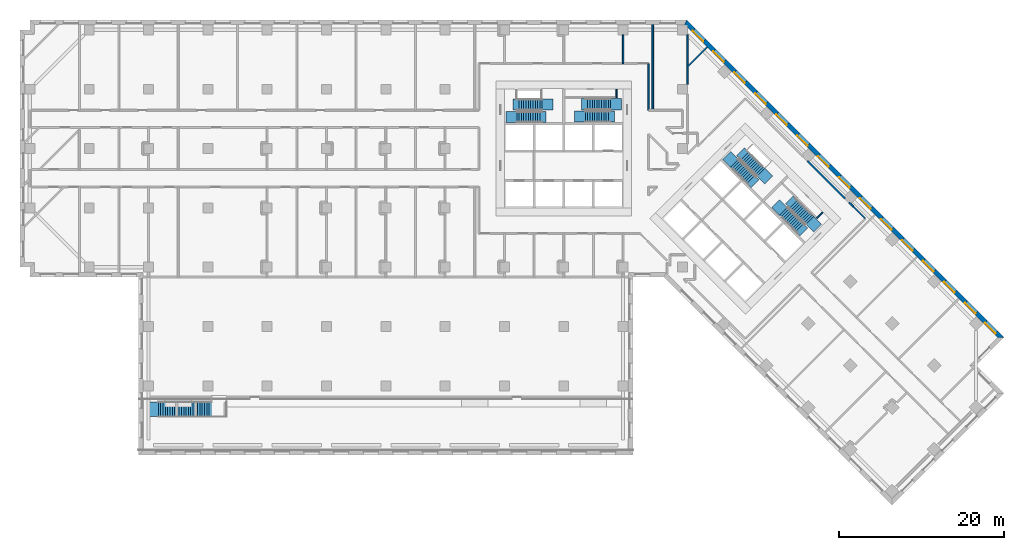
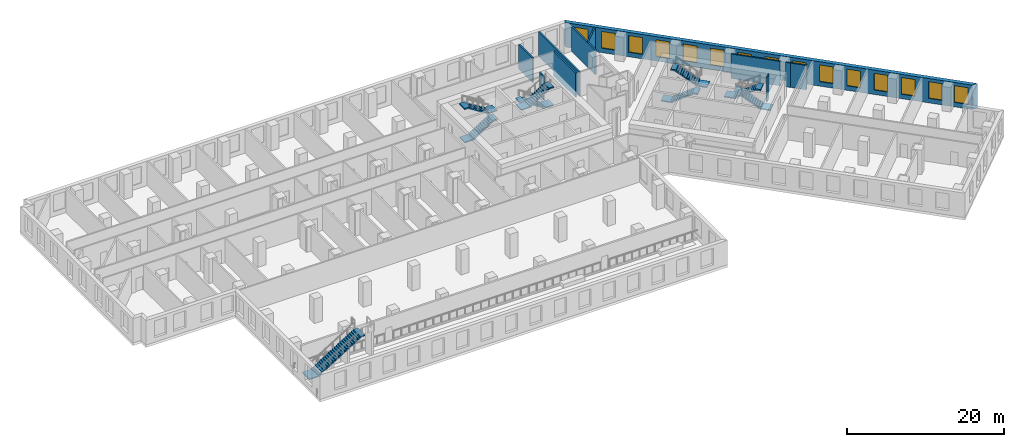
# One storey, part 10 of 14: 15 windows, 11 walls, 9 stair flights, 15 openings, 5 elements without a shape of their own.
"""IFC4 building model written with IfcOpenShell, lengths in metres."""

from ifc_helpers import new_model, si_unit, direction, frame, frame_2d, origin, place, context, subcontext, project, spatial, polyline, rectangle, outline, extrude, material, layer, layer_set, type_object, element, fill, aggregate, save


model = new_model("IFC4")

# Units and contexts
model_context = context("Model", 3, precision=1e-05, world=origin(), true_north=direction((0.0, 1.0)))
body_context = subcontext(model_context, "Body", "Model", "MODEL_VIEW")
ifc_project = project(units=[si_unit("LENGTHUNIT", "METRE"), si_unit("AREAUNIT", "SQUARE_METRE"), si_unit("VOLUMEUNIT", "CUBIC_METRE"), si_unit("PLANEANGLEUNIT", "RADIAN"), si_unit("MASSUNIT", "GRAM", prefix="KILO")], contexts=[model_context])

# Site, building, storey
site_placement = place(None, origin())
site = spatial("IfcSite", under=ifc_project, at=site_placement, CompositionType="ELEMENT")
building_placement = place(site_placement, origin())
building = spatial("IfcBuilding", under=site, at=building_placement, Name="Windrow Commons", CompositionType="ELEMENT")
storey_placement = place(building_placement, frame((0.0, 0.0, 10.2)))
storey = spatial("IfcBuildingStorey", under=building, at=storey_placement, Name="L02", CompositionType="ELEMENT", Elevation=10.2)

# Wall, openings, windows
ifc_material_1 = material(Name="Brick masonry, red clay brick", Category="masonry")
ifc_layer_1 = layer(ifc_material_1, 0.55)
ifc_layer_set_1 = layer_set([ifc_layer_1], Name="Brick facade wall 550")
wall_type_1 = type_object("IfcWallType", Name="Brick facade wall 550", PredefinedType="SOLIDWALL", material=ifc_layer_set_1)
wall_1_placement = place(storey_placement, frame((117.8434, 34.6648, 0.0), z_axis=(0.0, 0.0, 1.0), x_axis=(-0.7071067812, 0.7071067812, 0.0)))
wall_1 = element("IfcWall", 1, at=wall_1_placement, inside=storey, type_object=wall_type_1, Name="Brick facade wall L02 4", PredefinedType="SOLIDWALL", context=body_context, shape_type="SweptSolid", body=[
    extrude(outline(polyline([(-0.275, -0.275), (54.222, -0.275), (53.9942, 0.275), (0.275, 0.275), (-0.275, -0.275)])), origin(), (0.0, 0.0, 1.0), 3.8),
])
opening_1_placement = place(wall_1_placement, frame((0.8, 0.0, 0.7)))
opening_1 = element("IfcOpeningElement", 2, at=opening_1_placement, cuts=wall_1, Name="Opening W2", PredefinedType="OPENING", context=body_context, shape_type="SweptSolid", body=[
    extrude(rectangle(XDim=1.8, YDim=2.6, at=frame_2d((0.9, 1.3))), frame((0.0, 0.285, 0.0), z_axis=(0.0, -1.0, 0.0), x_axis=(1.0, 0.0, 0.0)), (0.0, 0.0, 1.0), 0.57),
])
opening_2_placement = place(wall_1_placement, frame((4.225, 0.0, 0.7)))
opening_2 = element("IfcOpeningElement", 3, at=opening_2_placement, cuts=wall_1, Name="Opening W2", PredefinedType="OPENING", context=body_context, shape_type="SweptSolid", body=[
    extrude(rectangle(XDim=1.8, YDim=2.6, at=frame_2d((0.9, 1.3))), frame((0.0, 0.285, 0.0), z_axis=(0.0, -1.0, 0.0), x_axis=(1.0, 0.0, 0.0)), (0.0, 0.0, 1.0), 0.57),
])
opening_3_placement = place(wall_1_placement, frame((7.825, 0.0, 0.7)))
opening_3 = element("IfcOpeningElement", 4, at=opening_3_placement, cuts=wall_1, Name="Opening W2", PredefinedType="OPENING", context=body_context, shape_type="SweptSolid", body=[
    extrude(rectangle(XDim=1.8, YDim=2.6, at=frame_2d((0.9, 1.3))), frame((0.0, 0.285, 0.0), z_axis=(0.0, -1.0, 0.0), x_axis=(1.0, 0.0, 0.0)), (0.0, 0.0, 1.0), 0.57),
])
opening_4_placement = place(wall_1_placement, frame((11.425, 0.0, 0.7)))
opening_4 = element("IfcOpeningElement", 5, at=opening_4_placement, cuts=wall_1, Name="Opening W2", PredefinedType="OPENING", context=body_context, shape_type="SweptSolid", body=[
    extrude(rectangle(XDim=1.8, YDim=2.6, at=frame_2d((0.9, 1.3))), frame((0.0, 0.285, 0.0), z_axis=(0.0, -1.0, 0.0), x_axis=(1.0, 0.0, 0.0)), (0.0, 0.0, 1.0), 0.57),
])
opening_5_placement = place(wall_1_placement, frame((15.025, 0.0, 0.7)))
opening_5 = element("IfcOpeningElement", 6, at=opening_5_placement, cuts=wall_1, Name="Opening W2", PredefinedType="OPENING", context=body_context, shape_type="SweptSolid", body=[
    extrude(rectangle(XDim=1.8, YDim=2.6, at=frame_2d((0.9, 1.3))), frame((0.0, 0.285, 0.0), z_axis=(0.0, -1.0, 0.0), x_axis=(1.0, 0.0, 0.0)), (0.0, 0.0, 1.0), 0.57),
])
opening_6_placement = place(wall_1_placement, frame((18.625, 0.0, 0.7)))
opening_6 = element("IfcOpeningElement", 7, at=opening_6_placement, cuts=wall_1, Name="Opening W2", PredefinedType="OPENING", context=body_context, shape_type="SweptSolid", body=[
    extrude(rectangle(XDim=1.8, YDim=2.6, at=frame_2d((0.9, 1.3))), frame((0.0, 0.285, 0.0), z_axis=(0.0, -1.0, 0.0), x_axis=(1.0, 0.0, 0.0)), (0.0, 0.0, 1.0), 0.57),
])
opening_7_placement = place(wall_1_placement, frame((22.225, 0.0, 0.7)))
opening_7 = element("IfcOpeningElement", 8, at=opening_7_placement, cuts=wall_1, Name="Opening W2", PredefinedType="OPENING", context=body_context, shape_type="SweptSolid", body=[
    extrude(rectangle(XDim=1.8, YDim=2.6, at=frame_2d((0.9, 1.3))), frame((0.0, 0.285, 0.0), z_axis=(0.0, -1.0, 0.0), x_axis=(1.0, 0.0, 0.0)), (0.0, 0.0, 1.0), 0.57),
])
opening_8_placement = place(wall_1_placement, frame((25.825, 0.0, 0.7)))
opening_8 = element("IfcOpeningElement", 9, at=opening_8_placement, cuts=wall_1, Name="Opening W2", PredefinedType="OPENING", context=body_context, shape_type="SweptSolid", body=[
    extrude(rectangle(XDim=1.8, YDim=2.6, at=frame_2d((0.9, 1.3))), frame((0.0, 0.285, 0.0), z_axis=(0.0, -1.0, 0.0), x_axis=(1.0, 0.0, 0.0)), (0.0, 0.0, 1.0), 0.57),
])
opening_9_placement = place(wall_1_placement, frame((29.425, 0.0, 0.7)))
opening_9 = element("IfcOpeningElement", 10, at=opening_9_placement, cuts=wall_1, Name="Opening W2", PredefinedType="OPENING", context=body_context, shape_type="SweptSolid", body=[
    extrude(rectangle(XDim=1.8, YDim=2.6, at=frame_2d((0.9, 1.3))), frame((0.0, 0.285, 0.0), z_axis=(0.0, -1.0, 0.0), x_axis=(1.0, 0.0, 0.0)), (0.0, 0.0, 1.0), 0.57),
])
opening_10_placement = place(wall_1_placement, frame((33.025, 0.0, 0.7)))
opening_10 = element("IfcOpeningElement", 11, at=opening_10_placement, cuts=wall_1, Name="Opening W2", PredefinedType="OPENING", context=body_context, shape_type="SweptSolid", body=[
    extrude(rectangle(XDim=1.8, YDim=2.6, at=frame_2d((0.9, 1.3))), frame((0.0, 0.285, 0.0), z_axis=(0.0, -1.0, 0.0), x_axis=(1.0, 0.0, 0.0)), (0.0, 0.0, 1.0), 0.57),
])
opening_11_placement = place(wall_1_placement, frame((36.625, 0.0, 0.7)))
opening_11 = element("IfcOpeningElement", 12, at=opening_11_placement, cuts=wall_1, Name="Opening W2", PredefinedType="OPENING", context=body_context, shape_type="SweptSolid", body=[
    extrude(rectangle(XDim=1.8, YDim=2.6, at=frame_2d((0.9, 1.3))), frame((0.0, 0.285, 0.0), z_axis=(0.0, -1.0, 0.0), x_axis=(1.0, 0.0, 0.0)), (0.0, 0.0, 1.0), 0.57),
])
opening_12_placement = place(wall_1_placement, frame((40.225, 0.0, 0.7)))
opening_12 = element("IfcOpeningElement", 13, at=opening_12_placement, cuts=wall_1, Name="Opening W2", PredefinedType="OPENING", context=body_context, shape_type="SweptSolid", body=[
    extrude(rectangle(XDim=1.8, YDim=2.6, at=frame_2d((0.9, 1.3))), frame((0.0, 0.285, 0.0), z_axis=(0.0, -1.0, 0.0), x_axis=(1.0, 0.0, 0.0)), (0.0, 0.0, 1.0), 0.57),
])
opening_13_placement = place(wall_1_placement, frame((43.825, 0.0, 0.7)))
opening_13 = element("IfcOpeningElement", 14, at=opening_13_placement, cuts=wall_1, Name="Opening W2", PredefinedType="OPENING", context=body_context, shape_type="SweptSolid", body=[
    extrude(rectangle(XDim=1.8, YDim=2.6, at=frame_2d((0.9, 1.3))), frame((0.0, 0.285, 0.0), z_axis=(0.0, -1.0, 0.0), x_axis=(1.0, 0.0, 0.0)), (0.0, 0.0, 1.0), 0.57),
])
opening_14_placement = place(wall_1_placement, frame((47.425, 0.0, 0.7)))
opening_14 = element("IfcOpeningElement", 15, at=opening_14_placement, cuts=wall_1, Name="Opening W2", PredefinedType="OPENING", context=body_context, shape_type="SweptSolid", body=[
    extrude(rectangle(XDim=1.8, YDim=2.6, at=frame_2d((0.9, 1.3))), frame((0.0, 0.285, 0.0), z_axis=(0.0, -1.0, 0.0), x_axis=(1.0, 0.0, 0.0)), (0.0, 0.0, 1.0), 0.57),
])
opening_15_placement = place(wall_1_placement, frame((50.9596, 0.0, 0.7)))
opening_15 = element("IfcOpeningElement", 16, at=opening_15_placement, cuts=wall_1, Name="Opening W2", PredefinedType="OPENING", context=body_context, shape_type="SweptSolid", body=[
    extrude(rectangle(XDim=1.8, YDim=2.6, at=frame_2d((0.9, 1.3))), frame((0.0, 0.285, 0.0), z_axis=(0.0, -1.0, 0.0), x_axis=(1.0, 0.0, 0.0)), (0.0, 0.0, 1.0), 0.57),
])
ifc_material_2 = material(Name="Clear float glass in anodised aluminium frame", Category="aluminium")
window_type = type_object("IfcWindowType", Name="Window W2 podium 1800x2600", PartitioningType="SINGLE_PANEL", PredefinedType="WINDOW", material=ifc_material_2)
window_1_placement = place(opening_1_placement, origin())
window_1 = element("IfcWindow", 17, at=window_1_placement, inside=storey, type_object=window_type, Name="Window L02 4.1", OverallHeight=2.6, OverallWidth=1.8, PartitioningType="SINGLE_PANEL", PredefinedType="WINDOW", context=body_context, shape_type="SweptSolid", body=[
    extrude(rectangle(XDim=1.8, YDim=2.6, at=frame_2d((0.9, 1.3))), frame((0.0, 0.155, 0.0), z_axis=(0.0, -1.0, 0.0), x_axis=(1.0, 0.0, 0.0)), (0.0, 0.0, 1.0), 0.06),
])
fill(opening_1, window_1)
window_2_placement = place(opening_2_placement, origin())
window_2 = element("IfcWindow", 18, at=window_2_placement, inside=storey, type_object=window_type, Name="Window L02 4.2", OverallHeight=2.6, OverallWidth=1.8, PartitioningType="SINGLE_PANEL", PredefinedType="WINDOW", context=body_context, shape_type="SweptSolid", body=[
    extrude(rectangle(XDim=1.8, YDim=2.6, at=frame_2d((0.9, 1.3))), frame((0.0, 0.155, 0.0), z_axis=(0.0, -1.0, 0.0), x_axis=(1.0, 0.0, 0.0)), (0.0, 0.0, 1.0), 0.06),
])
fill(opening_2, window_2)
window_3_placement = place(opening_3_placement, origin())
window_3 = element("IfcWindow", 19, at=window_3_placement, inside=storey, type_object=window_type, Name="Window L02 4.3", OverallHeight=2.6, OverallWidth=1.8, PartitioningType="SINGLE_PANEL", PredefinedType="WINDOW", context=body_context, shape_type="SweptSolid", body=[
    extrude(rectangle(XDim=1.8, YDim=2.6, at=frame_2d((0.9, 1.3))), frame((0.0, 0.155, 0.0), z_axis=(0.0, -1.0, 0.0), x_axis=(1.0, 0.0, 0.0)), (0.0, 0.0, 1.0), 0.06),
])
fill(opening_3, window_3)
window_4_placement = place(opening_4_placement, origin())
window_4 = element("IfcWindow", 20, at=window_4_placement, inside=storey, type_object=window_type, Name="Window L02 4.4", OverallHeight=2.6, OverallWidth=1.8, PartitioningType="SINGLE_PANEL", PredefinedType="WINDOW", context=body_context, shape_type="SweptSolid", body=[
    extrude(rectangle(XDim=1.8, YDim=2.6, at=frame_2d((0.9, 1.3))), frame((0.0, 0.155, 0.0), z_axis=(0.0, -1.0, 0.0), x_axis=(1.0, 0.0, 0.0)), (0.0, 0.0, 1.0), 0.06),
])
fill(opening_4, window_4)
window_5_placement = place(opening_5_placement, origin())
window_5 = element("IfcWindow", 21, at=window_5_placement, inside=storey, type_object=window_type, Name="Window L02 4.5", OverallHeight=2.6, OverallWidth=1.8, PartitioningType="SINGLE_PANEL", PredefinedType="WINDOW", context=body_context, shape_type="SweptSolid", body=[
    extrude(rectangle(XDim=1.8, YDim=2.6, at=frame_2d((0.9, 1.3))), frame((0.0, 0.155, 0.0), z_axis=(0.0, -1.0, 0.0), x_axis=(1.0, 0.0, 0.0)), (0.0, 0.0, 1.0), 0.06),
])
fill(opening_5, window_5)
window_6_placement = place(opening_6_placement, origin())
window_6 = element("IfcWindow", 22, at=window_6_placement, inside=storey, type_object=window_type, Name="Window L02 4.6", OverallHeight=2.6, OverallWidth=1.8, PartitioningType="SINGLE_PANEL", PredefinedType="WINDOW", context=body_context, shape_type="SweptSolid", body=[
    extrude(rectangle(XDim=1.8, YDim=2.6, at=frame_2d((0.9, 1.3))), frame((0.0, 0.155, 0.0), z_axis=(0.0, -1.0, 0.0), x_axis=(1.0, 0.0, 0.0)), (0.0, 0.0, 1.0), 0.06),
])
fill(opening_6, window_6)
window_7_placement = place(opening_7_placement, origin())
window_7 = element("IfcWindow", 23, at=window_7_placement, inside=storey, type_object=window_type, Name="Window L02 4.7", OverallHeight=2.6, OverallWidth=1.8, PartitioningType="SINGLE_PANEL", PredefinedType="WINDOW", context=body_context, shape_type="SweptSolid", body=[
    extrude(rectangle(XDim=1.8, YDim=2.6, at=frame_2d((0.9, 1.3))), frame((0.0, 0.155, 0.0), z_axis=(0.0, -1.0, 0.0), x_axis=(1.0, 0.0, 0.0)), (0.0, 0.0, 1.0), 0.06),
])
fill(opening_7, window_7)
window_8_placement = place(opening_8_placement, origin())
window_8 = element("IfcWindow", 24, at=window_8_placement, inside=storey, type_object=window_type, Name="Window L02 4.8", OverallHeight=2.6, OverallWidth=1.8, PartitioningType="SINGLE_PANEL", PredefinedType="WINDOW", context=body_context, shape_type="SweptSolid", body=[
    extrude(rectangle(XDim=1.8, YDim=2.6, at=frame_2d((0.9, 1.3))), frame((0.0, 0.155, 0.0), z_axis=(0.0, -1.0, 0.0), x_axis=(1.0, 0.0, 0.0)), (0.0, 0.0, 1.0), 0.06),
])
fill(opening_8, window_8)
window_9_placement = place(opening_9_placement, origin())
window_9 = element("IfcWindow", 25, at=window_9_placement, inside=storey, type_object=window_type, Name="Window L02 4.9", OverallHeight=2.6, OverallWidth=1.8, PartitioningType="SINGLE_PANEL", PredefinedType="WINDOW", context=body_context, shape_type="SweptSolid", body=[
    extrude(rectangle(XDim=1.8, YDim=2.6, at=frame_2d((0.9, 1.3))), frame((0.0, 0.155, 0.0), z_axis=(0.0, -1.0, 0.0), x_axis=(1.0, 0.0, 0.0)), (0.0, 0.0, 1.0), 0.06),
])
fill(opening_9, window_9)
window_10_placement = place(opening_10_placement, origin())
window_10 = element("IfcWindow", 26, at=window_10_placement, inside=storey, type_object=window_type, Name="Window L02 4.10", OverallHeight=2.6, OverallWidth=1.8, PartitioningType="SINGLE_PANEL", PredefinedType="WINDOW", context=body_context, shape_type="SweptSolid", body=[
    extrude(rectangle(XDim=1.8, YDim=2.6, at=frame_2d((0.9, 1.3))), frame((0.0, 0.155, 0.0), z_axis=(0.0, -1.0, 0.0), x_axis=(1.0, 0.0, 0.0)), (0.0, 0.0, 1.0), 0.06),
])
fill(opening_10, window_10)
window_11_placement = place(opening_11_placement, origin())
window_11 = element("IfcWindow", 27, at=window_11_placement, inside=storey, type_object=window_type, Name="Window L02 4.11", OverallHeight=2.6, OverallWidth=1.8, PartitioningType="SINGLE_PANEL", PredefinedType="WINDOW", context=body_context, shape_type="SweptSolid", body=[
    extrude(rectangle(XDim=1.8, YDim=2.6, at=frame_2d((0.9, 1.3))), frame((0.0, 0.155, 0.0), z_axis=(0.0, -1.0, 0.0), x_axis=(1.0, 0.0, 0.0)), (0.0, 0.0, 1.0), 0.06),
])
fill(opening_11, window_11)
window_12_placement = place(opening_12_placement, origin())
window_12 = element("IfcWindow", 28, at=window_12_placement, inside=storey, type_object=window_type, Name="Window L02 4.12", OverallHeight=2.6, OverallWidth=1.8, PartitioningType="SINGLE_PANEL", PredefinedType="WINDOW", context=body_context, shape_type="SweptSolid", body=[
    extrude(rectangle(XDim=1.8, YDim=2.6, at=frame_2d((0.9, 1.3))), frame((0.0, 0.155, 0.0), z_axis=(0.0, -1.0, 0.0), x_axis=(1.0, 0.0, 0.0)), (0.0, 0.0, 1.0), 0.06),
])
fill(opening_12, window_12)
window_13_placement = place(opening_13_placement, origin())
window_13 = element("IfcWindow", 29, at=window_13_placement, inside=storey, type_object=window_type, Name="Window L02 4.13", OverallHeight=2.6, OverallWidth=1.8, PartitioningType="SINGLE_PANEL", PredefinedType="WINDOW", context=body_context, shape_type="SweptSolid", body=[
    extrude(rectangle(XDim=1.8, YDim=2.6, at=frame_2d((0.9, 1.3))), frame((0.0, 0.155, 0.0), z_axis=(0.0, -1.0, 0.0), x_axis=(1.0, 0.0, 0.0)), (0.0, 0.0, 1.0), 0.06),
])
fill(opening_13, window_13)
window_14_placement = place(opening_14_placement, origin())
window_14 = element("IfcWindow", 30, at=window_14_placement, inside=storey, type_object=window_type, Name="Window L02 4.14", OverallHeight=2.6, OverallWidth=1.8, PartitioningType="SINGLE_PANEL", PredefinedType="WINDOW", context=body_context, shape_type="SweptSolid", body=[
    extrude(rectangle(XDim=1.8, YDim=2.6, at=frame_2d((0.9, 1.3))), frame((0.0, 0.155, 0.0), z_axis=(0.0, -1.0, 0.0), x_axis=(1.0, 0.0, 0.0)), (0.0, 0.0, 1.0), 0.06),
])
fill(opening_14, window_14)
window_15_placement = place(opening_15_placement, origin())
window_15 = element("IfcWindow", 31, at=window_15_placement, inside=storey, type_object=window_type, Name="Window L02 4.15", OverallHeight=2.6, OverallWidth=1.8, PartitioningType="SINGLE_PANEL", PredefinedType="WINDOW", context=body_context, shape_type="SweptSolid", body=[
    extrude(rectangle(XDim=1.8, YDim=2.6, at=frame_2d((0.9, 1.3))), frame((0.0, 0.155, 0.0), z_axis=(0.0, -1.0, 0.0), x_axis=(1.0, 0.0, 0.0)), (0.0, 0.0, 1.0), 0.06),
])
fill(opening_15, window_15)

# Walls
ifc_material_3 = material(Name="Blockwork partition", Category="masonry")
ifc_layer_2 = layer(ifc_material_3, 0.2)
ifc_layer_set_2 = layer_set([ifc_layer_2], Name="IW-CORRIDOR-200")
wall_type_2 = type_object("IfcWallType", Name="IW-CORRIDOR-200", PredefinedType="PARTITIONING", material=ifc_layer_set_2)
wall_2_placement = place(storey_placement, frame((94.3632, 56.1232, 0.0), z_axis=(0.0, 0.0, 1.0), x_axis=(0.7071067812, -0.7071067812, 0.0)))
element("IfcWall", 32, at=wall_2_placement, inside=storey, type_object=wall_type_2, Name="W-L02-W037", PredefinedType="PARTITIONING", context=body_context, shape_type="SweptSolid", body=[
    extrude(rectangle(XDim=6.5026, YDim=0.2, at=frame_2d((3.2513, 0.0))), origin(), (0.0, 0.0, 1.0), 3.8),
])
wall_3_placement = place(storey_placement, frame((75.1, 62.252, 0.0), z_axis=(0.0, 0.0, 1.0), x_axis=(0.0, 1.0, 0.0)))
element("IfcWall", 33, at=wall_3_placement, inside=storey, type_object=wall_type_2, Name="W-L02-W048", PredefinedType="PARTITIONING", context=body_context, shape_type="SweptSolid", body=[
    extrude(rectangle(XDim=5.648, YDim=0.2, at=frame_2d((2.824, 0.0))), origin(), (0.0, 0.0, 1.0), 3.8),
])
wall_4_placement = place(storey_placement, frame((99.9177, 50.5737, 0.0), z_axis=(0.0, 0.0, 1.0), x_axis=(0.7075827869, -0.7066304548, 0.0)))
element("IfcWall", 34, at=wall_4_placement, inside=storey, type_object=wall_type_2, Name="W-L02-W079", PredefinedType="PARTITIONING", context=body_context, shape_type="SweptSolid", body=[
    extrude(rectangle(XDim=2.1001, YDim=0.2, at=frame_2d((1.05, 0.0))), origin(), (0.0, 0.0, 1.0), 3.8),
])
wall_5_placement = place(storey_placement, frame((99.4532, 51.0332, 0.0), z_axis=(0.0, 0.0, 1.0), x_axis=(0.7071067812, -0.7071067812, 0.0)))
element("IfcWall", 35, at=wall_5_placement, inside=storey, type_object=wall_type_2, Name="W-L02-W172", PredefinedType="PARTITIONING", context=body_context, shape_type="SweptSolid", body=[
    extrude(rectangle(XDim=0.6534, YDim=0.2, at=frame_2d((0.3267, 0.0))), origin(), (0.0, 0.0, 1.0), 3.8),
])
ifc_material_4 = material(Name="Blockwork partition", Category="masonry")
ifc_layer_3 = layer(ifc_material_4, 0.2)
ifc_layer_set_3 = layer_set([ifc_layer_3], Name="IW-PARTY-200")
wall_type_3 = type_object("IfcWallType", Name="IW-PARTY-200", PredefinedType="PARTITIONING", material=ifc_layer_set_3)
wall_6_placement = place(storey_placement, frame((75.6, 62.25, 0.0), z_axis=(0.0, 0.0, 1.0), x_axis=(0.0, 1.0, 0.0)))
element("IfcWall", 36, at=wall_6_placement, inside=storey, type_object=wall_type_3, Name="W-L02-W027", PredefinedType="PARTITIONING", context=body_context, shape_type="SweptSolid", body=[
    extrude(rectangle(XDim=10.4, YDim=0.2, at=frame_2d((5.2, 0.0))), origin(), (0.0, 0.0, 1.0), 3.8),
])
wall_7_placement = place(storey_placement, frame((79.8, 65.4, 0.0), z_axis=(0.0, 0.0, 1.0), x_axis=(0.0, 1.0, 0.0)))
element("IfcWall", 37, at=wall_7_placement, inside=storey, type_object=wall_type_3, Name="W-L02-W040", PredefinedType="PARTITIONING", context=body_context, shape_type="SweptSolid", body=[
    extrude(rectangle(XDim=6.0, YDim=0.2, at=frame_2d((3.0, 0.0))), origin(), (0.0, 0.0, 1.0), 3.8),
])
wall_8_placement = place(storey_placement, frame((72.0, 67.9, 0.0), z_axis=(0.0, 0.0, 1.0), x_axis=(0.0, 1.0, 0.0)))
element("IfcWall", 38, at=wall_8_placement, inside=storey, type_object=wall_type_3, Name="W-L02-W065", PredefinedType="PARTITIONING", context=body_context, shape_type="SweptSolid", body=[
    extrude(rectangle(XDim=3.5, YDim=0.2, at=frame_2d((1.75, 0.0))), origin(), (0.0, 0.0, 1.0), 3.8),
])
wall_9_placement = place(storey_placement, frame((79.7988, 67.5092, 0.0), z_axis=(0.0, 0.0, 1.0), x_axis=(0.7070920842, 0.7071214778, 0.0)))
element("IfcWall", 39, at=wall_9_placement, inside=storey, type_object=wall_type_3, Name="W-L02-W071", PredefinedType="PARTITIONING", context=body_context, shape_type="SweptSolid", body=[
    extrude(rectangle(XDim=3.4021, YDim=0.2, at=frame_2d((1.701, 0.0))), origin(), (0.0, 0.0, 1.0), 3.8),
])
ifc_material_5 = material(Name="Blockwork partition", Category="masonry")
ifc_layer_4 = layer(ifc_material_5, 0.15)
ifc_layer_set_4 = layer_set([ifc_layer_4], Name="Riser partition 150")
wall_type_4 = type_object("IfcWallType", Name="Riser partition 150", PredefinedType="PARTITIONING", material=ifc_layer_set_4)
wall_10_placement = place(storey_placement, frame((71.2, 63.78, 0.0), z_axis=(0.0, 0.0, 1.0), x_axis=(0.0, 1.0, 0.0)))
element("IfcWall", 40, at=wall_10_placement, inside=storey, type_object=wall_type_4, Name="W-core-stripx-A-L02-1", PredefinedType="PARTITIONING", context=body_context, shape_type="SweptSolid", body=[
    extrude(rectangle(XDim=1.02, YDim=0.15, at=frame_2d((0.51, 0.0))), origin(), (0.0, 0.0, 1.0), 3.8),
])
wall_11_placement = place(storey_placement, frame((95.52, 49.1463, 0.0), z_axis=(0.0, 0.0, 1.0), x_axis=(0.7071067812, 0.7071067812, 0.0)))
element("IfcWall", 41, at=wall_11_placement, inside=storey, type_object=wall_type_4, Name="W-core-stripx-B-L02-1", PredefinedType="PARTITIONING", context=body_context, shape_type="SweptSolid", body=[
    extrude(rectangle(XDim=1.0201, YDim=0.15, at=frame_2d((0.5101, 0.0))), origin(), (0.0, 0.0, 1.0), 3.8),
])

# Stair, stair flights
ifc_material_6 = material(Name="Concrete C40/50", Category="concrete")
stair_type_1 = type_object("IfcStairType", Name="Core stair", PredefinedType="HALF_TURN_STAIR", material=ifc_material_6)
placement = place(storey_placement, origin())
stair_1 = element("IfcStair", 42, at=placement, inside=storey, type_object=stair_type_1, Name="L02 Exit stair A1 core A", PredefinedType="HALF_TURN_STAIR")
ifc_material_7 = material(Name="Concrete C40/50", Category="concrete")
stair_flight_type_1 = type_object("IfcStairFlightType", Name="Core stair flight", PredefinedType="STRAIGHT", material=ifc_material_7)
stair_flight_1_placement = place(storey_placement, frame((59.1, 61.425, 0.0), z_axis=(0.0, 0.0, 1.0), x_axis=(1.0, 0.0, 0.0)))
stair_flight_1 = element("IfcStairFlight", 43, at=stair_flight_1_placement, type_object=stair_flight_type_1, Name="ST-A1 flight 1", NumberOfRisers=12, NumberOfTreads=11, PredefinedType="STRAIGHT", RiserHeight=0.175, TreadLength=0.28, context=body_context, shape_type="SweptSolid", body=[
    extrude(outline(polyline([(-1.3, -0.15), (-1.3, 0.0), (0.0, 0.0), (0.0, 0.175), (0.28, 0.175), (0.28, 0.35), (0.56, 0.35), (0.56, 0.525), (0.84, 0.525), (0.84, 0.7), (1.12, 0.7), (1.12, 0.875), (1.4, 0.875), (1.4, 1.05), (1.68, 1.05), (1.68, 1.225), (1.96, 1.225), (1.96, 1.4), (2.24, 1.4), (2.24, 1.575), (2.52, 1.575), (2.52, 1.75), (2.8, 1.75), (2.8, 1.925), (3.08, 1.925), (3.53, 1.925), (3.53, 1.725), (3.08, 1.725), (3.08, 1.7481), (0.283, 0.0), (0.283, -0.15), (-1.3, -0.15)])), frame((0.0, 0.675, 0.0), z_axis=(0.0, -1.0, 0.0), x_axis=(1.0, 0.0, 0.0)), (0.0, 0.0, 1.0), 1.35),
])
stair_flight_2_placement = place(storey_placement, frame((62.18, 62.925, 2.1), z_axis=(0.0, 0.0, 1.0), x_axis=(-1.0, 0.0, 0.0)))
stair_flight_2 = element("IfcStairFlight", 44, at=stair_flight_2_placement, type_object=stair_flight_type_1, Name="ST-A1 flight 2", NumberOfRisers=12, NumberOfTreads=11, PredefinedType="STRAIGHT", RiserHeight=0.175, TreadLength=0.28, context=body_context, shape_type="SweptSolid", body=[
    extrude(outline(polyline([(-1.3, -0.15), (-1.3, 0.0), (0.0, 0.0), (0.0, 0.175), (0.28, 0.175), (0.28, 0.35), (0.56, 0.35), (0.56, 0.525), (0.84, 0.525), (0.84, 0.7), (1.12, 0.7), (1.12, 0.875), (1.4, 0.875), (1.4, 1.05), (1.68, 1.05), (1.68, 1.225), (1.96, 1.225), (1.96, 1.4), (2.24, 1.4), (2.24, 1.575), (2.52, 1.575), (2.52, 1.75), (2.8, 1.75), (2.8, 1.925), (3.08, 1.925), (3.53, 1.925), (3.53, 1.725), (3.08, 1.725), (3.08, 1.7481), (0.283, 0.0), (0.283, -0.15), (-1.3, -0.15)])), frame((0.0, 0.675, 0.0), z_axis=(0.0, -1.0, 0.0), x_axis=(1.0, 0.0, 0.0)), (0.0, 0.0, 1.0), 1.35),
])
aggregate(stair_1, [stair_flight_1, stair_flight_2])

stair_2 = element("IfcStair", 45, at=placement, inside=storey, type_object=stair_type_1, Name="L02 Exit stair A2 core A", PredefinedType="HALF_TURN_STAIR")
stair_flight_3_placement = place(storey_placement, frame((70.5, 62.98, 0.0), z_axis=(0.0, 0.0, 1.0), x_axis=(-1.0, 0.0, 0.0)))
stair_flight_3 = element("IfcStairFlight", 46, at=stair_flight_3_placement, type_object=stair_flight_type_1, Name="ST-A2 flight 1", NumberOfRisers=12, NumberOfTreads=11, PredefinedType="STRAIGHT", RiserHeight=0.175, TreadLength=0.28, context=body_context, shape_type="SweptSolid", body=[
    extrude(outline(polyline([(-1.3, -0.15), (-1.3, 0.0), (0.0, 0.0), (0.0, 0.175), (0.28, 0.175), (0.28, 0.35), (0.56, 0.35), (0.56, 0.525), (0.84, 0.525), (0.84, 0.7), (1.12, 0.7), (1.12, 0.875), (1.4, 0.875), (1.4, 1.05), (1.68, 1.05), (1.68, 1.225), (1.96, 1.225), (1.96, 1.4), (2.24, 1.4), (2.24, 1.575), (2.52, 1.575), (2.52, 1.75), (2.8, 1.75), (2.8, 1.925), (3.08, 1.925), (3.53, 1.925), (3.53, 1.725), (3.08, 1.725), (3.08, 1.7481), (0.283, 0.0), (0.283, -0.15), (-1.3, -0.15)])), frame((0.0, 0.675, 0.0), z_axis=(0.0, -1.0, 0.0), x_axis=(1.0, 0.0, 0.0)), (0.0, 0.0, 1.0), 1.35),
])
stair_flight_4_placement = place(storey_placement, frame((67.42, 61.48, 2.1), z_axis=(0.0, 0.0, 1.0), x_axis=(1.0, 0.0, 0.0)))
stair_flight_4 = element("IfcStairFlight", 47, at=stair_flight_4_placement, type_object=stair_flight_type_1, Name="ST-A2 flight 2", NumberOfRisers=12, NumberOfTreads=11, PredefinedType="STRAIGHT", RiserHeight=0.175, TreadLength=0.28, context=body_context, shape_type="SweptSolid", body=[
    extrude(outline(polyline([(-1.3, -0.15), (-1.3, 0.0), (0.0, 0.0), (0.0, 0.175), (0.28, 0.175), (0.28, 0.35), (0.56, 0.35), (0.56, 0.525), (0.84, 0.525), (0.84, 0.7), (1.12, 0.7), (1.12, 0.875), (1.4, 0.875), (1.4, 1.05), (1.68, 1.05), (1.68, 1.225), (1.96, 1.225), (1.96, 1.4), (2.24, 1.4), (2.24, 1.575), (2.52, 1.575), (2.52, 1.75), (2.8, 1.75), (2.8, 1.925), (3.08, 1.925), (3.53, 1.925), (3.53, 1.725), (3.08, 1.725), (3.08, 1.7481), (0.283, 0.0), (0.283, -0.15), (-1.3, -0.15)])), frame((0.0, 0.675, 0.0), z_axis=(0.0, -1.0, 0.0), x_axis=(1.0, 0.0, 0.0)), (0.0, 0.0, 1.0), 1.35),
])
aggregate(stair_2, [stair_flight_3, stair_flight_4])

stair_3 = element("IfcStair", 48, at=placement, inside=storey, type_object=stair_type_1, Name="L02 Exit stair B1 core B", PredefinedType="HALF_TURN_STAIR")
stair_flight_5_placement = place(storey_placement, frame((85.5109, 55.8249, 0.0), z_axis=(0.0, 0.0, 1.0), x_axis=(0.7071067812, -0.7071067812, 0.0)))
stair_flight_5 = element("IfcStairFlight", 49, at=stair_flight_5_placement, type_object=stair_flight_type_1, Name="ST-B1 flight 1", NumberOfRisers=12, NumberOfTreads=11, PredefinedType="STRAIGHT", RiserHeight=0.175, TreadLength=0.28, context=body_context, shape_type="SweptSolid", body=[
    extrude(outline(polyline([(-1.3, -0.15), (-1.3, 0.0), (0.0, 0.0), (0.0, 0.175), (0.28, 0.175), (0.28, 0.35), (0.56, 0.35), (0.56, 0.525), (0.84, 0.525), (0.84, 0.7), (1.12, 0.7), (1.12, 0.875), (1.4, 0.875), (1.4, 1.05), (1.68, 1.05), (1.68, 1.225), (1.96, 1.225), (1.96, 1.4), (2.24, 1.4), (2.24, 1.575), (2.52, 1.575), (2.52, 1.75), (2.8, 1.75), (2.8, 1.925), (3.08, 1.925), (3.53, 1.925), (3.53, 1.725), (3.08, 1.725), (3.08, 1.7481), (0.283, 0.0), (0.283, -0.15), (-1.3, -0.15)])), frame((0.0, 0.675, 0.0), z_axis=(0.0, -1.0, 0.0), x_axis=(1.0, 0.0, 0.0)), (0.0, 0.0, 1.0), 1.35),
])
stair_flight_6_placement = place(storey_placement, frame((88.7495, 54.7077, 2.1), z_axis=(0.0, 0.0, 1.0), x_axis=(-0.7071067812, 0.7071067812, 0.0)))
stair_flight_6 = element("IfcStairFlight", 50, at=stair_flight_6_placement, type_object=stair_flight_type_1, Name="ST-B1 flight 2", NumberOfRisers=12, NumberOfTreads=11, PredefinedType="STRAIGHT", RiserHeight=0.175, TreadLength=0.28, context=body_context, shape_type="SweptSolid", body=[
    extrude(outline(polyline([(-1.3, -0.15), (-1.3, 0.0), (0.0, 0.0), (0.0, 0.175), (0.28, 0.175), (0.28, 0.35), (0.56, 0.35), (0.56, 0.525), (0.84, 0.525), (0.84, 0.7), (1.12, 0.7), (1.12, 0.875), (1.4, 0.875), (1.4, 1.05), (1.68, 1.05), (1.68, 1.225), (1.96, 1.225), (1.96, 1.4), (2.24, 1.4), (2.24, 1.575), (2.52, 1.575), (2.52, 1.75), (2.8, 1.75), (2.8, 1.925), (3.08, 1.925), (3.53, 1.925), (3.53, 1.725), (3.08, 1.725), (3.08, 1.7481), (0.283, 0.0), (0.283, -0.15), (-1.3, -0.15)])), frame((0.0, 0.675, 0.0), z_axis=(0.0, -1.0, 0.0), x_axis=(1.0, 0.0, 0.0)), (0.0, 0.0, 1.0), 1.35),
])
aggregate(stair_3, [stair_flight_5, stair_flight_6])

stair_4 = element("IfcStair", 51, at=placement, inside=storey, type_object=stair_type_1, Name="L02 Exit stair B2 core B", PredefinedType="HALF_TURN_STAIR")
stair_flight_7_placement = place(storey_placement, frame((94.6715, 48.8635, 0.0), z_axis=(0.0, 0.0, 1.0), x_axis=(-0.7071067812, 0.7071067812, 0.0)))
stair_flight_7 = element("IfcStairFlight", 52, at=stair_flight_7_placement, type_object=stair_flight_type_1, Name="ST-B2 flight 1", NumberOfRisers=12, NumberOfTreads=11, PredefinedType="STRAIGHT", RiserHeight=0.175, TreadLength=0.28, context=body_context, shape_type="SweptSolid", body=[
    extrude(outline(polyline([(-1.3, -0.15), (-1.3, 0.0), (0.0, 0.0), (0.0, 0.175), (0.28, 0.175), (0.28, 0.35), (0.56, 0.35), (0.56, 0.525), (0.84, 0.525), (0.84, 0.7), (1.12, 0.7), (1.12, 0.875), (1.4, 0.875), (1.4, 1.05), (1.68, 1.05), (1.68, 1.225), (1.96, 1.225), (1.96, 1.4), (2.24, 1.4), (2.24, 1.575), (2.52, 1.575), (2.52, 1.75), (2.8, 1.75), (2.8, 1.925), (3.08, 1.925), (3.53, 1.925), (3.53, 1.725), (3.08, 1.725), (3.08, 1.7481), (0.283, 0.0), (0.283, -0.15), (-1.3, -0.15)])), frame((0.0, 0.675, 0.0), z_axis=(0.0, -1.0, 0.0), x_axis=(1.0, 0.0, 0.0)), (0.0, 0.0, 1.0), 1.35),
])
stair_flight_8_placement = place(storey_placement, frame((91.4329, 49.9807, 2.1), z_axis=(0.0, 0.0, 1.0), x_axis=(0.7071067812, -0.7071067812, 0.0)))
stair_flight_8 = element("IfcStairFlight", 53, at=stair_flight_8_placement, type_object=stair_flight_type_1, Name="ST-B2 flight 2", NumberOfRisers=12, NumberOfTreads=11, PredefinedType="STRAIGHT", RiserHeight=0.175, TreadLength=0.28, context=body_context, shape_type="SweptSolid", body=[
    extrude(outline(polyline([(-1.3, -0.15), (-1.3, 0.0), (0.0, 0.0), (0.0, 0.175), (0.28, 0.175), (0.28, 0.35), (0.56, 0.35), (0.56, 0.525), (0.84, 0.525), (0.84, 0.7), (1.12, 0.7), (1.12, 0.875), (1.4, 0.875), (1.4, 1.05), (1.68, 1.05), (1.68, 1.225), (1.96, 1.225), (1.96, 1.4), (2.24, 1.4), (2.24, 1.575), (2.52, 1.575), (2.52, 1.75), (2.8, 1.75), (2.8, 1.925), (3.08, 1.925), (3.53, 1.925), (3.53, 1.725), (3.08, 1.725), (3.08, 1.7481), (0.283, 0.0), (0.283, -0.15), (-1.3, -0.15)])), frame((0.0, 0.675, 0.0), z_axis=(0.0, -1.0, 0.0), x_axis=(1.0, 0.0, 0.0)), (0.0, 0.0, 1.0), 1.35),
])
aggregate(stair_4, [stair_flight_7, stair_flight_8])

# Stair, stair flight
ifc_material_8 = material(Name="Concrete C40/50", Category="concrete")
stair_type_2 = type_object("IfcStairType", Name="Terrace public stair", PredefinedType="STRAIGHT_RUN_STAIR", material=ifc_material_8)
stair_5 = element("IfcStair", 54, at=placement, inside=storey, type_object=stair_type_2, Name="Public stair L02 to L03", PredefinedType="STRAIGHT_RUN_STAIR")
ifc_material_9 = material(Name="Concrete C40/50", Category="concrete")
stair_flight_type_2 = type_object("IfcStairFlightType", Name="Terrace public stair flight", PredefinedType="STRAIGHT", material=ifc_material_9)
stair_flight_9_placement = place(storey_placement, frame((15.6, 25.95, 0.0), z_axis=(0.0, 0.0, 1.0), x_axis=(1.0, 0.0, 0.0)))
stair_flight_9 = element("IfcStairFlight", 55, at=stair_flight_9_placement, type_object=stair_flight_type_2, Name="TST flight 1", NumberOfRisers=24, NumberOfTreads=23, PredefinedType="STRAIGHT", RiserHeight=0.175, TreadLength=0.28, context=body_context, shape_type="SweptSolid", body=[
    extrude(outline(polyline([(-1.3, -0.15), (-1.3, 0.0), (0.0, 0.0), (0.0, 0.175), (0.28, 0.175), (0.28, 0.35), (0.56, 0.35), (0.56, 0.525), (0.84, 0.525), (0.84, 0.7), (1.12, 0.7), (1.12, 0.875), (1.4, 0.875), (1.4, 1.05), (1.68, 1.05), (1.68, 1.225), (1.96, 1.225), (1.96, 1.4), (2.24, 1.4), (2.24, 1.575), (2.52, 1.575), (2.52, 1.75), (2.8, 1.75), (2.8, 1.925), (3.08, 1.925), (3.08, 2.1), (3.36, 2.1), (3.36, 2.275), (3.64, 2.275), (3.64, 2.45), (3.92, 2.45), (3.92, 2.625), (4.2, 2.625), (4.2, 2.8), (4.48, 2.8), (4.48, 2.975), (4.76, 2.975), (4.76, 3.15), (5.04, 3.15), (5.04, 3.325), (5.32, 3.325), (5.32, 3.5), (5.6, 3.5), (5.6, 3.675), (5.88, 3.675), (5.88, 3.85), (6.16, 3.85), (6.16, 4.025), (6.44, 4.025), (6.89, 4.025), (6.89, 3.825), (6.44, 3.825), (6.44, 3.8481), (0.283, 0.0), (0.283, -0.15), (-1.3, -0.15)])), frame((0.0, 0.9, 0.0), z_axis=(0.0, -1.0, 0.0), x_axis=(1.0, 0.0, 0.0)), (0.0, 0.0, 1.0), 1.8),
])
aggregate(stair_5, [stair_flight_9])

save(model, "model.ifc")
